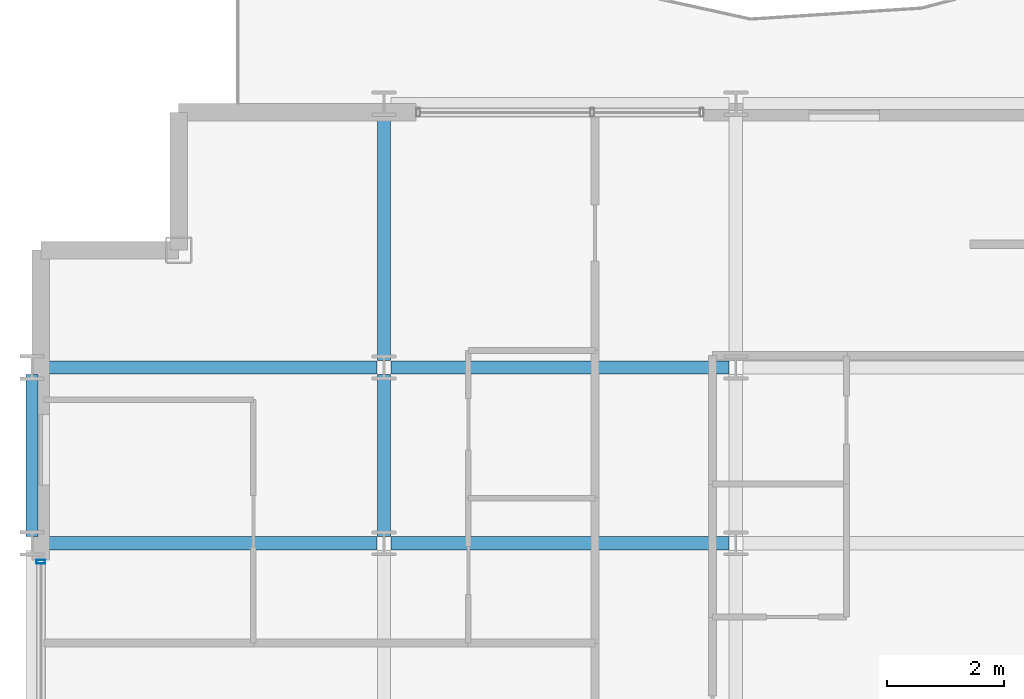
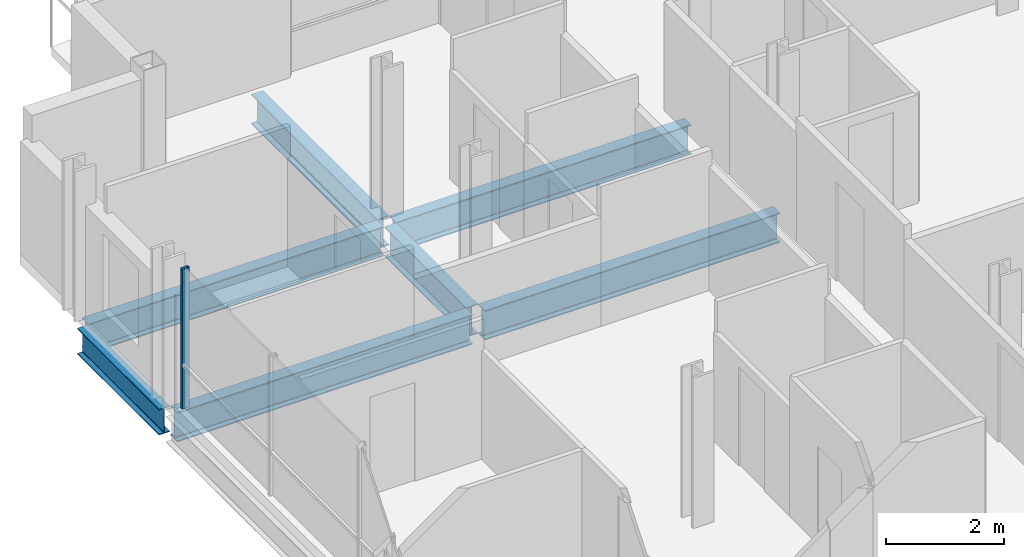
# One storey, part 7 of 40: 7 beams, 1 member, 1 element without a shape of its own.
"""IFC4 building model written with IfcOpenShell, lengths in metres."""

from ifc_helpers import new_model, si_unit, direction, frame, origin, origin_2d, place, context, subcontext, project, spatial, hollow_rectangle, i_section, extrude, material, layer, layer_set, material_profile, profile_set, type_object, element, aggregate, save


model = new_model("IFC4")

# Units and contexts
model_context = context("Model", 3, precision=1e-05, world=origin(), true_north=direction((0.0, 1.0)))
body_context = subcontext(model_context, "Body", "Model", "MODEL_VIEW")
ifc_project = project(units=[si_unit("LENGTHUNIT", "METRE"), si_unit("AREAUNIT", "SQUARE_METRE"), si_unit("VOLUMEUNIT", "CUBIC_METRE"), si_unit("PLANEANGLEUNIT", "RADIAN"), si_unit("MASSUNIT", "GRAM", prefix="KILO")], contexts=[model_context])

# Site, building, storey
site_placement = place(None, origin())
site = spatial("IfcSite", under=ifc_project, at=site_placement, CompositionType="ELEMENT")
building_placement = place(site_placement, origin())
building = spatial("IfcBuilding", under=site, at=building_placement, Name="Brevholm Reach", CompositionType="ELEMENT")
storey_placement = place(building_placement, frame((0.0, 0.0, 125.199951171875)))
storey = spatial("IfcBuildingStorey", under=building, at=storey_placement, Name="L37", CompositionType="ELEMENT", Elevation=125.199951171875)

# Beams
ifc_material_1 = material(Name="Structural Steel S355J2", Category="steel")
ifc_material_profile_1 = material_profile(ifc_material_1, i_section(OverallWidth=0.209228515625, OverallDepth=0.533203125, WebThickness=0.010009765625, FlangeThickness=0.015625, FilletRadius=0.0126953125, at=origin_2d()), Name="UKB 533x210x92")
ifc_profile_set_1 = profile_set([ifc_material_profile_1], Name="Structural Steel S355J2")
beam_type_1 = type_object("IfcBeamType", Name="BM-SP533", PredefinedType="SPANDREL", material=ifc_profile_set_1)
beam_1_placement = place(storey_placement, frame((0.0, 23.6201171875, -0.486572265625), z_axis=(0.0, 1.0, 0.0), x_axis=(-1.0, 0.0, 0.0)))
element("IfcBeam", 1, at=beam_1_placement, inside=storey, type_object=beam_type_1, Name="L37 SP-02 Framing Beam", PredefinedType="SPANDREL", context=body_context, shape_type="SweptSolid", body=[
    extrude(i_section(OverallWidth=0.209228515625, OverallDepth=0.533203125, WebThickness=0.010009765625, FlangeThickness=0.015625, FilletRadius=0.0126953125, at=origin_2d()), origin(), (0.0, 0.0, 1.0), 2.759765625),
])
ifc_material_2 = material(Name="Structural Steel S355J2", Category="steel")
ifc_material_profile_2 = material_profile(ifc_material_2, i_section(OverallWidth=0.22900390625, OverallDepth=0.6123046875, WebThickness=0.011962890625, FlangeThickness=0.01953125, FilletRadius=0.0126953125, at=origin_2d()), Name="UKB 610x229x125")
ifc_profile_set_2 = profile_set([ifc_material_profile_2], Name="Structural Steel S355J2")
beam_type_2 = type_object("IfcBeamType", Name="BM-SP610", PredefinedType="SPANDREL", material=ifc_profile_set_2)
for number, where, z_axis, x_axis, name in (
    (2, (0.1201171875, 23.5, -0.526123046875), (1.0, 0.0, 0.0), (0.0, 1.0, 0.0), "L37 SP-01 Framing Beam"),
    (3, (6.1201171875, 23.5, -0.526123046875), (1.0, 0.0, 0.0), (0.0, 1.0, 0.0), "L37 SP-01 Framing Beam"),
    (4, (0.1201171875, 26.5, -0.526123046875), (1.0, 0.0, 0.0), (0.0, 1.0, 0.0), "L37 SP-01 Framing Beam"),
    (5, (6.1201171875, 26.5, -0.526123046875), (1.0, 0.0, 0.0), (0.0, 1.0, 0.0), "L37 SP-01 Framing Beam"),
):
    element("IfcBeam", number, at=place(storey_placement, frame(where, z_axis=z_axis, x_axis=x_axis)), inside=storey, type_object=beam_type_2, Name=name, PredefinedType="SPANDREL", context=body_context, shape_type="SweptSolid", body=[
        extrude(i_section(OverallWidth=0.22900390625, OverallDepth=0.6123046875, WebThickness=0.011962890625, FlangeThickness=0.01953125, FilletRadius=0.0126953125, at=origin_2d()), origin(), (0.0, 0.0, 1.0), 5.759765625),
    ])
beam_2_placement = place(storey_placement, frame((6.0, 23.6201171875, -0.526123046875), z_axis=(0.0, 1.0, 0.0), x_axis=(-1.0, 0.0, 0.0)))
element("IfcBeam", 6, at=beam_2_placement, inside=storey, type_object=beam_type_2, Name="L37 SP-01 Framing Beam", PredefinedType="SPANDREL", context=body_context, shape_type="SweptSolid", body=[
    extrude(i_section(OverallWidth=0.22900390625, OverallDepth=0.6123046875, WebThickness=0.011962890625, FlangeThickness=0.01953125, FilletRadius=0.0126953125, at=origin_2d()), origin(), (0.0, 0.0, 1.0), 2.759765625),
])
beam_3_placement = place(storey_placement, frame((6.0, 26.6201171875, -0.526123046875), z_axis=(0.0, 1.0, 0.0), x_axis=(-1.0, 0.0, 0.0)))
element("IfcBeam", 7, at=beam_3_placement, inside=storey, type_object=beam_type_2, Name="L37 SP-01 Framing Beam", PredefinedType="SPANDREL", context=body_context, shape_type="SweptSolid", body=[
    extrude(i_section(OverallWidth=0.22900390625, OverallDepth=0.6123046875, WebThickness=0.011962890625, FlangeThickness=0.01953125, FilletRadius=0.0126953125, at=origin_2d()), origin(), (0.0, 0.0, 1.0), 4.259765625),
])

# Curtain wall, member
ifc_material_3 = material(Name="Dark Anodised Aluminium 6063-T6 and Solar-Control Glass", Category="aluminium")
ifc_layer = layer(ifc_material_3, 0.14990234375)
ifc_layer_set = layer_set([ifc_layer], Name="Dark Anodised Aluminium 6063-T6 and Solar-Control Glass")
curtain_wall_type = type_object("IfcCurtainWallType", Name="CW-01", PredefinedType="NOTDEFINED", material=ifc_layer_set)
curtain_wall_placement = place(storey_placement, origin())
curtain_wall = element("IfcCurtainWall", 8, at=curtain_wall_placement, inside=storey, type_object=curtain_wall_type, Name="L37 Curtain Wall CW-01", PredefinedType="NOTDEFINED")
ifc_material_4 = material(Name="Dark Anodised Aluminium 6063-T6", Category="aluminium")
ifc_material_profile_3 = material_profile(ifc_material_4, hollow_rectangle(XDim=0.06494140625, YDim=0.14990234375, WallThickness=0.0048828125, InnerFilletRadius=0.0048828125, OuterFilletRadius=0.010009765625, at=origin_2d()), Name="RHS 150x65x5")
ifc_profile_set_3 = profile_set([ifc_material_profile_3], Name="Dark Anodised Aluminium 6063-T6")
member_type = type_object("IfcMemberType", Name="CWM-150", PredefinedType="MULLION", material=ifc_profile_set_3)
member_placement = place(storey_placement, frame((0.14990234375, 23.1875, 0.0), z_axis=(0.0, 0.0, 1.0), x_axis=(0.0, -1.0, 0.0)))
member = element("IfcMember", 9, at=member_placement, type_object=member_type, Name="CM-150 Mullion 1", PredefinedType="MULLION", context=body_context, shape_type="SweptSolid", body=[
    extrude(hollow_rectangle(XDim=0.06494140625, YDim=0.14990234375, WallThickness=0.0048828125, InnerFilletRadius=0.0048828125, OuterFilletRadius=0.010009765625, at=origin_2d()), origin(), (0.0, 0.0, 1.0), 2.880126953125),
])
aggregate(curtain_wall, [member])

save(model, "model.ifc")
